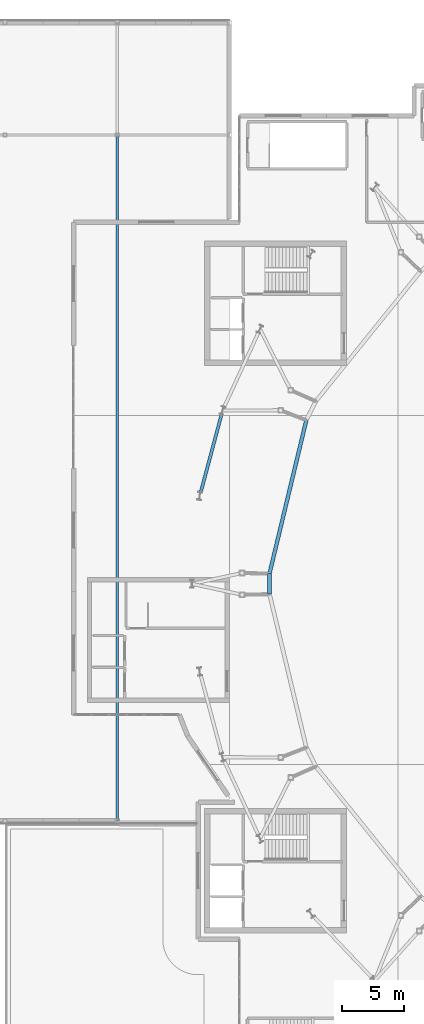
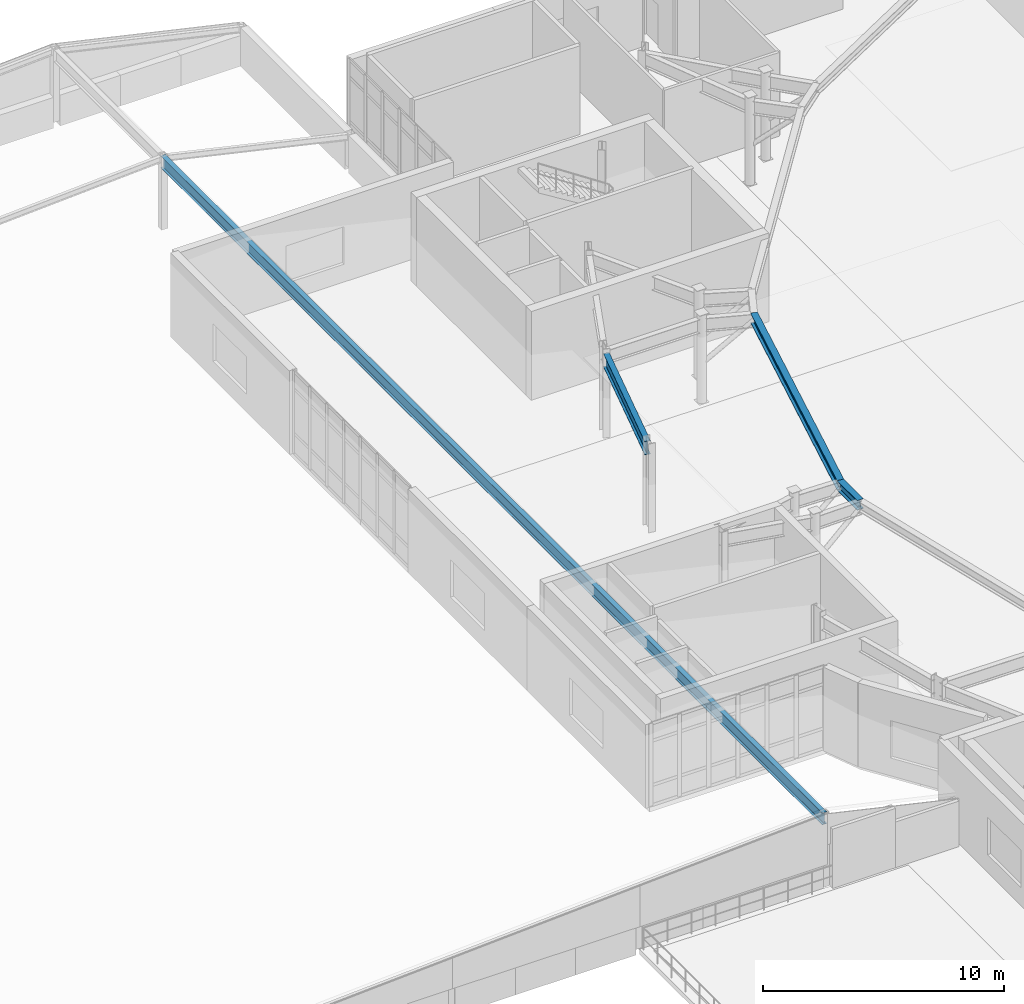
# One storey, part 17 of 48: 4 beams.
"""IFC4 building model written with IfcOpenShell, lengths in metres."""

import ifcopenshell
import ifcopenshell.guid

model = None  # the IFC model being written
_history = None  # IfcOwnerHistory: only IFC2X3 demands one
_inside = {}  # id of a spatial element -> (the spatial element, [elements in it])
_under = {}  # id of a project, library or spatial element -> (it, [spatial elements below it])
_declared = {}  # id of a project -> (the project, [libraries it declares])
_typed = {}  # id of a type object -> (the type object, [elements of that type])
_made_of = {}  # id of a material, layer set ... -> (it, [elements and type objects made of it])


def new_model(schema):
    """Start an empty IFC model of exactly this schema.

    Asked for "IFC4X3", IfcOpenShell would pick the latest addendum, in which some entities
    have other attributes; the version numbers below select the first issue.
    IFC2X3 requires an IfcOwnerHistory on every rooted entity: one is made here for all.
    """
    global model, _history
    if schema == "IFC4X3":
        model = ifcopenshell.file(schema_version=(4, 3, 0, 0))
    else:
        model = ifcopenshell.file(schema=schema)
    _inside.clear()
    _under.clear()
    _declared.clear()
    _typed.clear()
    _made_of.clear()
    _history = None
    if model.schema == "IFC2X3":
        org = make("IfcOrganization", Name="unknown")
        user = make(
            "IfcPersonAndOrganization",
            ThePerson=make("IfcPerson", FamilyName="unknown"),
            TheOrganization=org,
        )
        app = make(
            "IfcApplication",
            ApplicationDeveloper=org,
            Version="unknown",
            ApplicationFullName="unknown",
            ApplicationIdentifier="unknown",
        )
        _history = make(
            "IfcOwnerHistory",
            OwningUser=user,
            OwningApplication=app,
            ChangeAction="ADDED",
            CreationDate=0,
        )
    return model


def make(cls, **values):
    """One entity of the class cls with the attributes given. An attribute that is None is left unset."""
    return model.create_entity(
        cls, **{name: value for name, value in values.items() if value is not None}
    )


def rooted(cls, **values):
    """An entity with a GlobalId (a new one), such as an element, a storey or a relation."""
    return make(cls, GlobalId=ifcopenshell.guid.new(), OwnerHistory=_history, **values)


def si_unit(unit_type, name, prefix=None):
    """IfcSIUnit, for example si_unit("LENGTHUNIT", "METRE", prefix="MILLI")."""
    return make("IfcSIUnit", UnitType=unit_type, Prefix=prefix, Name=name)


def assignment(units):
    """IfcUnitAssignment: the units of a project."""
    return None if units is None else make("IfcUnitAssignment", Units=units)


def point(xyz):
    """IfcCartesianPoint."""
    return None if xyz is None else make("IfcCartesianPoint", Coordinates=xyz)


def direction(xyz):
    """IfcDirection."""
    return None if xyz is None else make("IfcDirection", DirectionRatios=xyz)


def frame(location, z_axis=None, x_axis=None):
    """IfcAxis2Placement3D, a coordinate frame: its origin and axes. An axis left out is left unset."""
    return make(
        "IfcAxis2Placement3D",
        Location=point(location),
        Axis=direction(z_axis),
        RefDirection=direction(x_axis),
    )


def frame_2d(location, x_axis=None):
    """IfcAxis2Placement2D, a coordinate frame in the plane: its origin and x axis."""
    return make(
        "IfcAxis2Placement2D", Location=point(location), RefDirection=direction(x_axis)
    )


def origin():
    """The frame at (0, 0, 0) with its axes left unset."""
    return frame((0.0, 0.0, 0.0))


def origin_2d():
    """The frame at (0, 0) in the plane with its x axis left unset."""
    return frame_2d((0.0, 0.0))


def place(relative_to, where):
    """IfcLocalPlacement: puts the frame where relative to a parent placement (None: the world)."""
    return make(
        "IfcLocalPlacement", PlacementRelTo=relative_to, RelativePlacement=where
    )


def context(
    kind, dimensions, precision=None, world=None, true_north=None, identifier=None
):
    """IfcGeometricRepresentationContext, for example the 3D "Model" context."""
    return make(
        "IfcGeometricRepresentationContext",
        ContextIdentifier=identifier,
        ContextType=kind,
        CoordinateSpaceDimension=dimensions,
        Precision=precision,
        WorldCoordinateSystem=world,
        TrueNorth=true_north,
    )


def subcontext(parent, identifier, kind, view, scale=None):
    """IfcGeometricRepresentationSubContext, for example "Body" below "Model"."""
    return make(
        "IfcGeometricRepresentationSubContext",
        ContextIdentifier=identifier,
        ContextType=kind,
        ParentContext=parent,
        TargetScale=scale,
        TargetView=view,
    )


def project(units=None, contexts=None):
    """IfcProject with its units and contexts."""
    return rooted(
        "IfcProject",
        Name="project",
        RepresentationContexts=contexts,
        UnitsInContext=assignment(units),
    )


def spatial(cls, under=None, at=None, **own):
    """A site, building, storey or space (cls), placed at a placement, below another one or the project."""
    s = rooted(cls, ObjectPlacement=at, **own)
    if under is not None:
        _under.setdefault(under.id(), (under, []))[1].append(s)
    return s


def profile(cls, at=None, kind="AREA", **sizes):
    """A parametric profile (cls). Its sizes go by their IFC names, for example OverallWidth=200.0."""
    return make(cls, ProfileType=kind, Position=at, **sizes)


def i_section(**sizes):
    """IfcIShapeProfileDef."""
    return profile("IfcIShapeProfileDef", **sizes)


def extrude(swept, where, along, depth):
    """IfcExtrudedAreaSolid: the profile swept, set in the frame where, extruded along a direction by depth."""
    return make(
        "IfcExtrudedAreaSolid",
        SweptArea=swept,
        Position=where,
        ExtrudedDirection=direction(along),
        Depth=depth,
    )


def shape(context_of_items, identifier, shape_type, items):
    """IfcShapeRepresentation: the items that make up one representation, for example the "Body"."""
    return make(
        "IfcShapeRepresentation",
        ContextOfItems=context_of_items,
        RepresentationIdentifier=identifier,
        RepresentationType=shape_type,
        Items=items,
    )


def material(Name=None, Category=None):
    """IfcMaterial."""
    return make("IfcMaterial", Name=Name, Category=Category)


def material_profile(
    of_material, cross_section, Name=None, Category=None, Priority=None
):
    """IfcMaterialProfile: a cross section and its material."""
    return make(
        "IfcMaterialProfile",
        Name=Name,
        Material=of_material,
        Profile=cross_section,
        Priority=Priority,
        Category=Category,
    )


def profile_set(profiles, Name=None, composite=None):
    """IfcMaterialProfileSet."""
    return make(
        "IfcMaterialProfileSet",
        Name=Name,
        MaterialProfiles=profiles,
        CompositeProfile=composite,
    )


def made_of(thing, what):
    """Note that an element or type object is made of a material, layer set ...; save() writes the relation."""
    if what is not None:
        _made_of.setdefault(what.id(), (what, []))[1].append(thing)
    return thing


def type_object(cls, material=None, **own):
    """A type object (cls), such as IfcWallType, which elements share."""
    return made_of(rooted(cls, **own), material)


def element(
    cls,
    number,
    at=None,
    inside=None,
    cuts=None,
    type_object=None,
    material=None,
    context=None,
    identifier="Body",
    shape_type=None,
    held_by="IfcProductDefinitionShape",
    body=None,
    shapes=None,
    **own,
):
    """One element of the class cls, such as IfcWall. Its Tag is "e" and its number.

    at: its placement. inside: the storey or other place that contains it. cuts: it is an
    opening in that element (IfcRelVoidsElement). A single representation is given by context,
    identifier, shape_type and body (its items); several are given by shapes. held_by: the class
    of the entity that holds the representations. save() writes the other relations.
    """
    e = rooted(cls, Tag="e%d" % number, ObjectPlacement=at, **own)
    if body is not None:
        shapes = [shape(context, identifier, shape_type, body)]
    if shapes is not None:
        e.Representation = make(held_by, Representations=shapes)
    if inside is not None:
        _inside.setdefault(inside.id(), (inside, []))[1].append(e)
    if cuts is not None:
        rooted(
            "IfcRelVoidsElement", RelatingBuildingElement=cuts, RelatedOpeningElement=e
        )
    if type_object is not None:
        _typed.setdefault(type_object.id(), (type_object, []))[1].append(e)
    return made_of(e, material)


def aggregate(whole, parts):
    """IfcRelAggregates: a whole, such as a stair, and the parts it consists of."""
    return rooted("IfcRelAggregates", RelatingObject=whole, RelatedObjects=parts)


def save(model, path):
    """Write the relations noted so far, then the file.

    IfcRelAggregates (storeys below a building ...), IfcRelContainedInSpatialStructure (elements
    in a storey), IfcRelDefinesByType, IfcRelAssociatesMaterial and IfcRelDeclares: one each for
    every whole, place, type object, material and project.
    """
    for whole, parts in _under.values():
        aggregate(whole, parts)
    for where, things in _inside.values():
        rooted(
            "IfcRelContainedInSpatialStructure",
            RelatedElements=things,
            RelatingStructure=where,
        )
    for kind, things in _typed.values():
        rooted("IfcRelDefinesByType", RelatedObjects=things, RelatingType=kind)
    for what, things in _made_of.values():
        rooted("IfcRelAssociatesMaterial", RelatedObjects=things, RelatingMaterial=what)
    for by, libraries in _declared.values():
        rooted("IfcRelDeclares", RelatingContext=by, RelatedDefinitions=libraries)
    model.write(path)


model = new_model("IFC4")

# Units and contexts
model_context = context("Model", 3, precision=1e-05, world=origin(), true_north=direction((0.0, 1.0)))
body_context = subcontext(model_context, "Body", "Model", "MODEL_VIEW")
ifc_project = project(units=[si_unit("LENGTHUNIT", "METRE"), si_unit("AREAUNIT", "SQUARE_METRE"), si_unit("VOLUMEUNIT", "CUBIC_METRE"), si_unit("PLANEANGLEUNIT", "RADIAN"), si_unit("MASSUNIT", "GRAM", prefix="KILO")], contexts=[model_context])

# Site, building, storey
site_placement = place(None, origin())
site = spatial("IfcSite", under=ifc_project, at=site_placement, CompositionType="ELEMENT")
building_placement = place(site_placement, origin())
building = spatial("IfcBuilding", under=site, at=building_placement, Name="Glasvene Arena", CompositionType="ELEMENT")
storey_placement = place(building_placement, frame((0.0, 0.0, 19.5)))
storey = spatial("IfcBuildingStorey", under=building, at=storey_placement, Name="L04", CompositionType="ELEMENT", Elevation=19.5)

# Beams
ifc_material = material(Name="Steel S355J2", Category="steel")
ifc_material_profile_1 = material_profile(ifc_material, i_section(OverallWidth=0.300048828125, OverallDepth=0.5, WebThickness=0.014404296875, FlangeThickness=0.028076171875, FilletRadius=0.027099609375, at=origin_2d()), Name="HEB 500")
ifc_profile_set_1 = profile_set([ifc_material_profile_1], Name="Steel S355J2")
beam_type_1 = type_object("IfcBeamType", Name="BM-EAVE-CANT", PredefinedType="BEAM", material=ifc_profile_set_1)
beam_1_placement = place(storey_placement, frame((51.164306640625, 86.126953125, 4.0), z_axis=(-0.233394845618, -0.972382047366, 0.0), x_axis=(0.972382047366, -0.233394845618, 0.0)))
element("IfcBeam", 1, at=beam_1_placement, inside=storey, type_object=beam_type_1, Name="Gondola inner ring girder 15", PredefinedType="BEAM", context=body_context, shape_type="SweptSolid", body=[
    extrude(i_section(OverallWidth=0.300048828125, OverallDepth=0.5, WebThickness=0.014404296875, FlangeThickness=0.028076171875, FilletRadius=0.027099609375, at=origin_2d()), origin(), (0.0, 0.0, 1.0), 12.65283203125),
])
beam_2_placement = place(storey_placement, frame((48.211181640625, 73.823486328125, 4.0), z_axis=(0.0, -1.0, 0.0), x_axis=(1.0, 0.0, 0.0)))
element("IfcBeam", 2, at=beam_2_placement, inside=storey, type_object=beam_type_1, Name="Gondola inner ring girder 16", PredefinedType="BEAM", context=body_context, shape_type="SweptSolid", body=[
    extrude(i_section(OverallWidth=0.300048828125, OverallDepth=0.5, WebThickness=0.014404296875, FlangeThickness=0.028076171875, FilletRadius=0.027099609375, at=origin_2d()), origin(), (0.0, 0.0, 1.0), 1.64697265625),
])
ifc_material_profile_2 = material_profile(ifc_material, i_section(OverallWidth=0.228271484375, OverallDepth=0.607666015625, WebThickness=0.010986328125, FlangeThickness=0.017333984375, FilletRadius=0.0126953125, at=origin_2d()), Name="UKB 610x229x113")
ifc_profile_set_2 = profile_set([ifc_material_profile_2], Name="Steel S355J2")
beam_type_2 = type_object("IfcBeamType", Name="BM-GIRD-610", PredefinedType="BEAM", material=ifc_profile_set_2)
beam_3_placement = place(storey_placement, frame((36.0, 54.0, 3.3798828125), z_axis=(0.0, 1.0, 0.0), x_axis=(-1.0, 0.0, 0.0)))
element("IfcBeam", 3, at=beam_3_placement, inside=storey, type_object=beam_type_2, Name="Wing roof ridge beam V4-54", PredefinedType="BEAM", context=body_context, shape_type="SweptSolid", body=[
    extrude(i_section(OverallWidth=0.228271484375, OverallDepth=0.607666015625, WebThickness=0.010986328125, FlangeThickness=0.017333984375, FilletRadius=0.0126953125, at=origin_2d()), origin(), (0.0, 0.0, 1.0), 55.0),
])
ifc_material_profile_3 = material_profile(ifc_material, i_section(OverallWidth=0.253662109375, OverallDepth=0.68359375, WebThickness=0.012451171875, FlangeThickness=0.01904296875, FilletRadius=0.01513671875, at=origin_2d()), Name="UKB 686x254x140")
ifc_profile_set_3 = profile_set([ifc_material_profile_3], Name="Steel S355J2")
beam_type_3 = type_object("IfcBeamType", Name="BM-GIRD-686", PredefinedType="BEAM", material=ifc_profile_set_3)
beam_4_placement = place(storey_placement, frame((44.38525390625, 86.673828125, 3.908203125), z_axis=(-0.257729153992, -0.966217202901, 0.0), x_axis=(0.966217202901, -0.257729153992, 0.0)))
element("IfcBeam", 4, at=beam_4_placement, inside=storey, type_object=beam_type_3, Name="Bowl ring chord beam L04-19", PredefinedType="BEAM", context=body_context, shape_type="SweptSolid", body=[
    extrude(i_section(OverallWidth=0.253662109375, OverallDepth=0.68359375, WebThickness=0.012451171875, FlangeThickness=0.01904296875, FilletRadius=0.01513671875, at=origin_2d()), origin(), (0.0, 0.0, 1.0), 6.626220703125),
])

save(model, "model.ifc")
